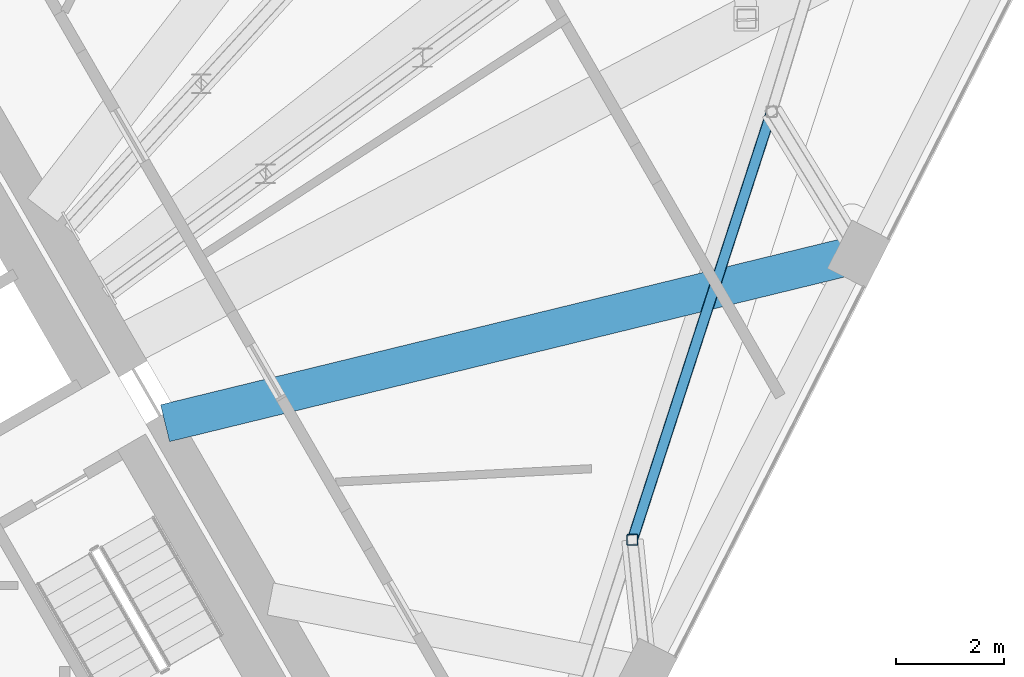
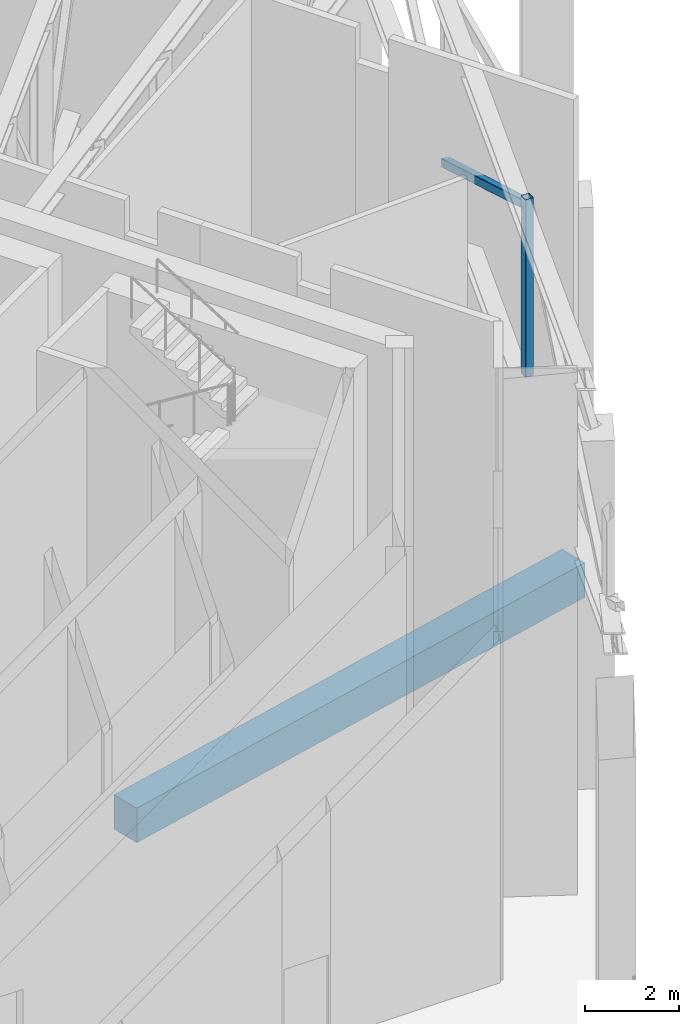
# One storey, part 10 of 23: 2 members, 1 beam.
"""IFC4 building model written with IfcOpenShell, lengths in metres."""

from ifc_helpers import new_model, si_unit, direction, frame, origin, origin_2d, place, context, subcontext, project, spatial, rectangle, hollow_rectangle, extrude, material, material_profile, profile_set, type_object, element, save


model = new_model("IFC4")

# Units and contexts
model_context = context("Model", 3, precision=1e-05, world=origin(), true_north=direction((0.0, 1.0)))
body_context = subcontext(model_context, "Body", "Model", "MODEL_VIEW")
ifc_project = project(units=[si_unit("LENGTHUNIT", "METRE"), si_unit("AREAUNIT", "SQUARE_METRE"), si_unit("VOLUMEUNIT", "CUBIC_METRE"), si_unit("PLANEANGLEUNIT", "RADIAN"), si_unit("MASSUNIT", "GRAM", prefix="KILO")], contexts=[model_context])

# Site, building, storey
site_placement = place(None, origin())
site = spatial("IfcSite", under=ifc_project, at=site_placement, CompositionType="ELEMENT")
building_placement = place(site_placement, origin())
building = spatial("IfcBuilding", under=site, at=building_placement, Name="Tramontana Tower", CompositionType="ELEMENT")
storey_placement = place(building_placement, frame((0.0, 0.0, 306.39990234375)))
storey = spatial("IfcBuildingStorey", under=building, at=storey_placement, Name="L72", CompositionType="ELEMENT", Elevation=306.39990234375)

# Members
ifc_material_1 = material(Name="Steel ASTM A500 Grade C", Category="steel")
ifc_material_profile_1 = material_profile(ifc_material_1, hollow_rectangle(XDim=0.203125, YDim=0.203125, WallThickness=0.0087890625, InnerFilletRadius=0.0087890625, OuterFilletRadius=0.017822265625, at=origin_2d()), Name="HSS8X8X3/8")
ifc_profile_set_1 = profile_set([ifc_material_profile_1], Name="Steel ASTM A500 Grade C")
member_type_1 = type_object("IfcMemberType", Name="Belt truss HSS8X8X3/8 brace", PredefinedType="BRACE", material=ifc_profile_set_1)
member_1_placement = place(storey_placement, frame((15.169921875, -0.55810546875, 13.456298828125), z_axis=(0.270211924337, 0.831640558158, -0.485138637888), x_axis=(-0.951058019695, 0.309012367347, 0.0)))
element("IfcMember", 1, at=member_1_placement, inside=storey, type_object=member_type_1, Name="Belt truss diagonal S1.4", PredefinedType="BRACE", context=body_context, shape_type="SweptSolid", body=[
    extrude(hollow_rectangle(XDim=0.203125, YDim=0.203125, WallThickness=0.0087890625, InnerFilletRadius=0.0087890625, OuterFilletRadius=0.017822265625, at=origin_2d()), origin(), (0.0, 0.0, 1.0), 9.5078125),
])
ifc_material_2 = material(Name="Steel ASTM A500 Grade C", Category="steel")
ifc_material_profile_2 = material_profile(ifc_material_2, hollow_rectangle(XDim=0.203125, YDim=0.203125, WallThickness=0.0087890625, InnerFilletRadius=0.0087890625, OuterFilletRadius=0.017822265625, at=origin_2d()), Name="HSS8X8X3/8")
ifc_profile_set_2 = profile_set([ifc_material_profile_2], Name="Steel ASTM A500 Grade C")
member_type_2 = type_object("IfcMemberType", Name="Belt truss HSS8X8X3/8 post", PredefinedType="POST", material=ifc_profile_set_2)
member_2_placement = place(storey_placement, frame((15.169921875, -0.55810546875, 9.037353515625), z_axis=(0.0, 0.0, 1.0), x_axis=(1.0, 0.0, 0.0)))
element("IfcMember", 2, at=member_2_placement, inside=storey, type_object=member_type_2, Name="Belt truss post C8F07", PredefinedType="POST", context=body_context, shape_type="SweptSolid", body=[
    extrude(hollow_rectangle(XDim=0.203125, YDim=0.203125, WallThickness=0.0087890625, InnerFilletRadius=0.0087890625, OuterFilletRadius=0.017822265625, at=origin_2d()), origin(), (0.0, 0.0, 1.0), 4.61279296875),
])

# Beam
ifc_material_3 = material(Name="Concrete 40 MPa", Category="concrete")
ifc_material_profile_3 = material_profile(ifc_material_3, rectangle(XDim=0.699951171875, YDim=0.89990234375, at=origin_2d()), Name="RC GIRDER 700X900 40 MPa")
ifc_profile_set_3 = profile_set([ifc_material_profile_3], Name="Concrete 40 MPa")
beam_type = type_object("IfcBeamType", Name="RC GIRDER 700X900 40 MPa", PredefinedType="BEAM", material=ifc_profile_set_3)
beam_placement = place(storey_placement, frame((19.351806640625, 4.71923828125, -0.7998046875), z_axis=(-0.971531149173, -0.2369118532, 0.0), x_axis=(0.2369118532, -0.971531149173, 0.0)))
element("IfcBeam", 3, at=beam_placement, inside=storey, type_object=beam_type, Name="Radial girder C7F08 L72", PredefinedType="BEAM", context=body_context, shape_type="SweptSolid", body=[
    extrude(rectangle(XDim=0.699951171875, YDim=0.89990234375, at=origin_2d()), origin(), (0.0, 0.0, 1.0), 13.1865234375),
])

save(model, "model.ifc")
